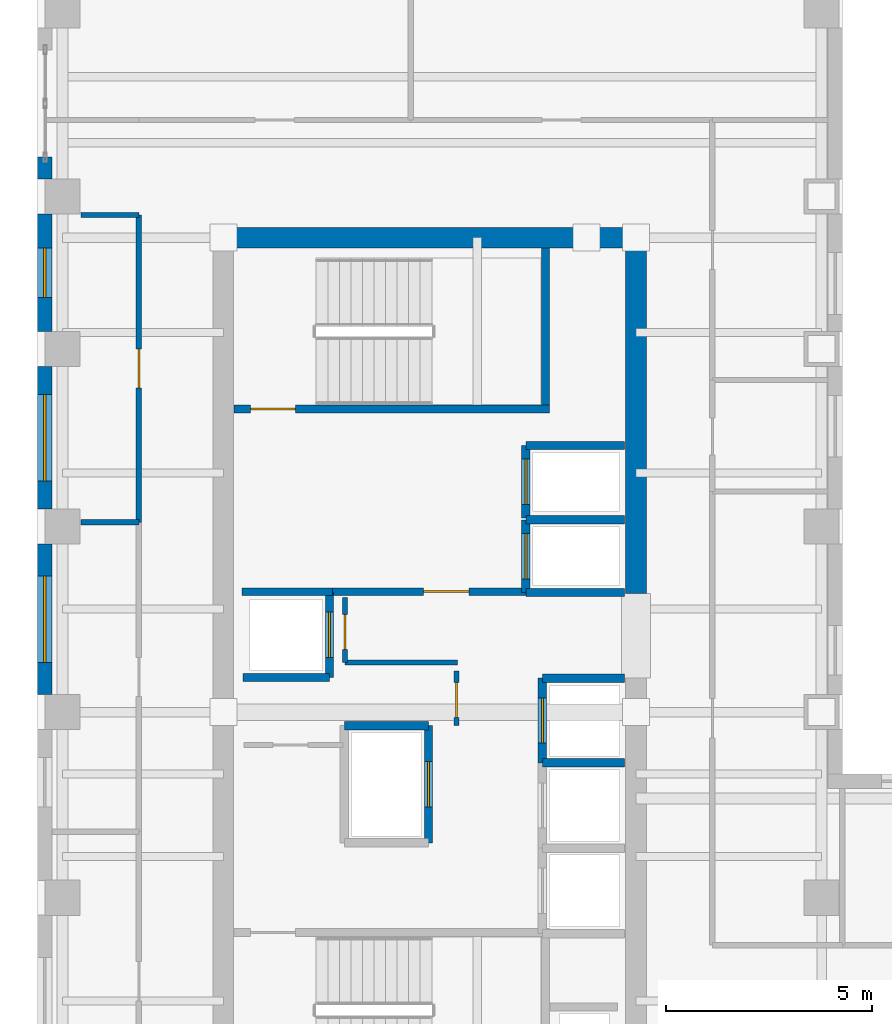
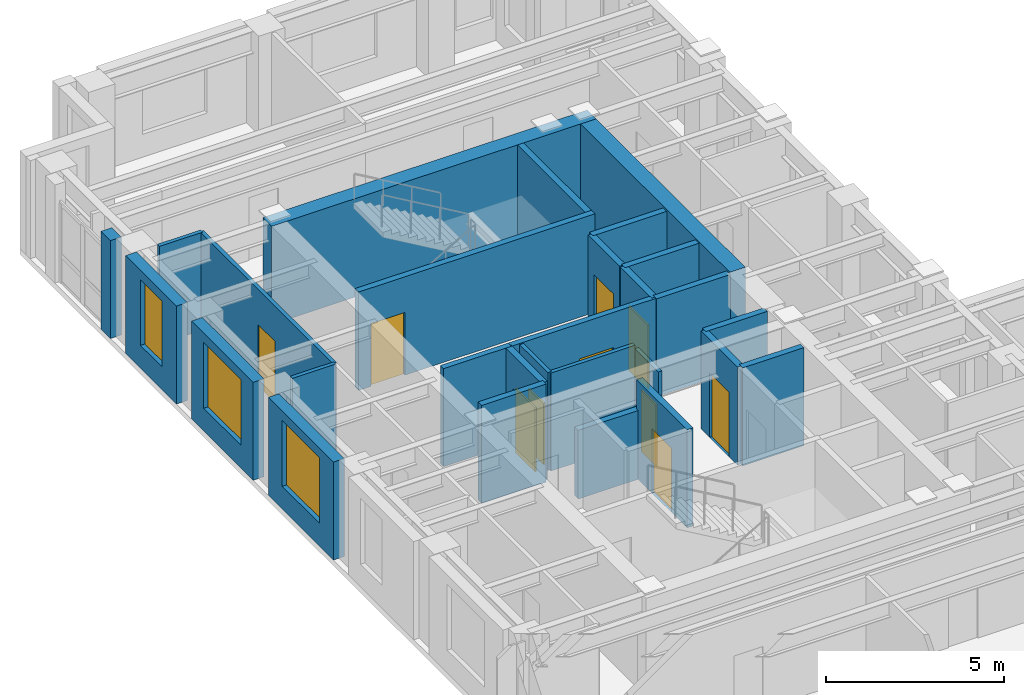
# One storey, part 7 of 10: 28 walls, 10 doors, 3 windows, 13 openings.
"""IFC4 building model written with IfcOpenShell, lengths in metres."""

from ifc_helpers import new_model, si_unit, direction, frame, frame_2d, origin, place, context, subcontext, project, spatial, rectangle, extrude, source, transform, mapped, material, layer, layer_set, type_object, element, fill, save


model = new_model("IFC4")

# Units and contexts
model_context = context("Model", 3, precision=1e-05, world=origin(), true_north=direction((0.0, 1.0)))
body_context = subcontext(model_context, "Body", "Model", "MODEL_VIEW")
ifc_project = project(units=[si_unit("LENGTHUNIT", "METRE"), si_unit("AREAUNIT", "SQUARE_METRE"), si_unit("VOLUMEUNIT", "CUBIC_METRE"), si_unit("PLANEANGLEUNIT", "RADIAN"), si_unit("MASSUNIT", "GRAM", prefix="KILO")], contexts=[model_context])

# Site, building, storey
site_placement = place(None, origin())
site = spatial("IfcSite", under=ifc_project, at=site_placement, CompositionType="ELEMENT")
building_placement = place(site_placement, origin())
building = spatial("IfcBuilding", under=site, at=building_placement, Name="Kharzan Plaza Tower", CompositionType="ELEMENT")
storey_placement = place(building_placement, frame((0.0, 0.0, 273.60009765625)))
storey = spatial("IfcBuildingStorey", under=building, at=storey_placement, Name="L74", CompositionType="ELEMENT", Elevation=273.60009765625)

# Wall, opening, window
ifc_material_1 = material(Name="Concrete C40/50", Category="concrete")
ifc_layer_1 = layer(ifc_material_1, 0.35009765625)
ifc_layer_set_1 = layer_set([ifc_layer_1], Name="Concrete C40/50")
wall_type_1 = type_object("IfcWallType", Name="WL-EXT-MAS-Z4", PredefinedType="SOLIDWALL", material=ifc_layer_set_1)
wall_1_placement = place(storey_placement, frame((0.175048828125, 30.076904296875, 0.0), z_axis=(0.0, 0.0, 1.0), x_axis=(0.0, -1.0, 0.0)))
wall_1 = element("IfcWall", 1, at=wall_1_placement, inside=storey, type_object=wall_type_1, Name="L74 Masonry-Frame Exterior Wall 11", PredefinedType="SOLIDWALL", context=body_context, shape_type="SweptSolid", body=[
    extrude(rectangle(XDim=2.85400390625, YDim=0.35009765625, at=frame_2d((1.427001953125, 0.0))), origin(), (0.0, 0.0, 1.0), 3.35498046875),
])
opening_1_placement = place(wall_1_placement, frame((0.826904296875, 0.0, 0.780029296875)))
opening_1 = element("IfcOpeningElement", 2, at=opening_1_placement, cuts=wall_1, Name="Opening W3", PredefinedType="OPENING", context=body_context, shape_type="SweptSolid", body=[
    extrude(rectangle(XDim=1.199951171875, YDim=2.25, at=frame_2d((0.60009765625, 1.125))), frame((0.0, 0.18505859375, 0.0), z_axis=(0.0, -1.0, 0.0), x_axis=(1.0, 0.0, 0.0)), (0.0, 0.0, 1.0), 0.3701171875),
])
ifc_material_2 = material(Name="Low-E Double Glazing", Category="glass")
window_type_1 = type_object("IfcWindowType", Name="WN-REC-1200x2100", PartitioningType="SINGLE_PANEL", PredefinedType="WINDOW", material=ifc_material_2)
shared_shape_1 = source(origin(), body_context, "Body", "SweptSolid", [
    extrude(rectangle(XDim=1.199951171875, YDim=2.25, at=frame_2d((0.60009765625, 1.125))), frame((0.0, 0.030029296875, 0.0), z_axis=(0.0, -1.0, 0.0), x_axis=(1.0, 0.0, 0.0)), (0.0, 0.0, 1.0), 0.06005859375),
])
window_1_placement = place(opening_1_placement, origin())
window_1 = element("IfcWindow", 3, at=window_1_placement, inside=storey, type_object=window_type_1, Name="L74 Recessed Solar-Control Window 11-1", OverallHeight=2.25, OverallWidth=1.199951171875, PartitioningType="SINGLE_PANEL", PredefinedType="WINDOW", context=body_context, shape_type="MappedRepresentation", body=[
    mapped(shared_shape_1, transform((0.0, 0.0, 0.0), x_axis=(1.0, 0.0, 0.0), y_axis=(0.0, 1.0, 0.0), z_axis=(0.0, 0.0, 1.0))),
])
fill(opening_1, window_1)

wall_2_placement = place(storey_placement, frame((0.175048828125, 26.376953125, 0.0), z_axis=(0.0, 0.0, 1.0), x_axis=(0.0, -1.0, 0.0)))
wall_2 = element("IfcWall", 4, at=wall_2_placement, inside=storey, type_object=wall_type_1, Name="L74 Masonry-Frame Exterior Wall 12", PredefinedType="SOLIDWALL", context=body_context, shape_type="SweptSolid", body=[
    extrude(rectangle(XDim=3.453857421875, YDim=0.35009765625, at=frame_2d((1.72705078125, 0.0))), origin(), (0.0, 0.0, 1.0), 3.35498046875),
])
opening_2_placement = place(wall_2_placement, frame((0.677001953125, 0.0, 0.780029296875)))
opening_2 = element("IfcOpeningElement", 5, at=opening_2_placement, cuts=wall_2, Name="Opening W6", PredefinedType="OPENING", context=body_context, shape_type="SweptSolid", body=[
    extrude(rectangle(XDim=2.10009765625, YDim=2.25, at=frame_2d((1.050048828125, 1.125))), frame((0.0, 0.18505859375, 0.0), z_axis=(0.0, -1.0, 0.0), x_axis=(1.0, 0.0, 0.0)), (0.0, 0.0, 1.0), 0.3701171875),
])
window_type_2 = type_object("IfcWindowType", Name="WN-EXEC-2100x2250", PartitioningType="SINGLE_PANEL", PredefinedType="WINDOW", material=ifc_material_2)
shared_shape_2 = source(origin(), body_context, "Body", "SweptSolid", [
    extrude(rectangle(XDim=2.10009765625, YDim=2.25, at=frame_2d((1.050048828125, 1.125))), frame((0.0, 0.030029296875, 0.0), z_axis=(0.0, -1.0, 0.0), x_axis=(1.0, 0.0, 0.0)), (0.0, 0.0, 1.0), 0.06005859375),
])
window_2_placement = place(opening_2_placement, origin())
window_2 = element("IfcWindow", 6, at=window_2_placement, inside=storey, type_object=window_type_2, Name="L74 Recessed Solar-Control Window 12-1", OverallHeight=2.25, OverallWidth=2.10009765625, PartitioningType="SINGLE_PANEL", PredefinedType="WINDOW", context=body_context, shape_type="MappedRepresentation", body=[
    mapped(shared_shape_2, transform((0.0, 0.0, 0.0), x_axis=(1.0, 0.0, 0.0), y_axis=(0.0, 1.0, 0.0), z_axis=(0.0, 0.0, 1.0))),
])
fill(opening_2, window_2)

wall_3_placement = place(storey_placement, frame((0.175048828125, 22.076904296875, 0.0), z_axis=(0.0, 0.0, 1.0), x_axis=(0.0, -1.0, 0.0)))
wall_3 = element("IfcWall", 7, at=wall_3_placement, inside=storey, type_object=wall_type_1, Name="L74 Masonry-Frame Exterior Wall 13", PredefinedType="SOLIDWALL", context=body_context, shape_type="SweptSolid", body=[
    extrude(rectangle(XDim=3.65380859375, YDim=0.35009765625, at=frame_2d((1.826904296875, 0.0))), origin(), (0.0, 0.0, 1.0), 3.35498046875),
])
opening_3_placement = place(wall_3_placement, frame((0.777099609375, 0.0, 0.780029296875)))
opening_3 = element("IfcOpeningElement", 8, at=opening_3_placement, cuts=wall_3, Name="Opening W6", PredefinedType="OPENING", context=body_context, shape_type="SweptSolid", body=[
    extrude(rectangle(XDim=2.10009765625, YDim=2.25, at=frame_2d((1.050048828125, 1.125))), frame((0.0, 0.18505859375, 0.0), z_axis=(0.0, -1.0, 0.0), x_axis=(1.0, 0.0, 0.0)), (0.0, 0.0, 1.0), 0.3701171875),
])
window_3_placement = place(opening_3_placement, origin())
window_3 = element("IfcWindow", 9, at=window_3_placement, inside=storey, type_object=window_type_2, Name="L74 Recessed Solar-Control Window 13-1", OverallHeight=2.25, OverallWidth=2.10009765625, PartitioningType="SINGLE_PANEL", PredefinedType="WINDOW", context=body_context, shape_type="MappedRepresentation", body=[
    mapped(shared_shape_2, transform((0.0, 0.0, 0.0), x_axis=(1.0, 0.0, 0.0), y_axis=(0.0, 1.0, 0.0), z_axis=(0.0, 0.0, 1.0))),
])
fill(opening_3, window_3)

# Wall, opening, door
ifc_layer_2 = layer(ifc_material_1, 0.179931640625)
ifc_layer_set_2 = layer_set([ifc_layer_2], Name="Concrete C40/50")
wall_type_2 = type_object("IfcWallType", Name="WL-INT-FIRE-180", PredefinedType="PARTITIONING", material=ifc_layer_set_2)
wall_4_placement = place(storey_placement, frame((7.14990234375, 20.919921875, 0.0), z_axis=(0.0, 0.0, 1.0), x_axis=(1.0, 0.0, 0.0)))
wall_4 = element("IfcWall", 10, at=wall_4_placement, inside=storey, type_object=wall_type_2, Name="L74 Interior Partition CA-FF-S", PredefinedType="PARTITIONING", context=body_context, shape_type="SweptSolid", body=[
    extrude(rectangle(XDim=4.68017578125, YDim=0.179931640625, at=frame_2d((2.340087890625, 0.0))), origin(), (0.0, 0.0, 1.0), 3.35498046875),
])
opening_4_placement = place(wall_4_placement, frame((2.199951171875, 0.0, 0.0)))
opening_4 = element("IfcOpeningElement", 11, at=opening_4_placement, cuts=wall_4, Name="Opening FD1", PredefinedType="OPENING", context=body_context, shape_type="SweptSolid", body=[
    extrude(rectangle(XDim=1.10009765625, YDim=2.14990234375, at=frame_2d((0.550048828125, 1.074951171875))), frame((0.0, 0.099853515625, 0.0), z_axis=(0.0, -1.0, 0.0), x_axis=(1.0, 0.0, 0.0)), (0.0, 0.0, 1.0), 0.199951171875),
])
ifc_material_3 = material(Name="Fire-Rated Acoustic Vision-Panel Steel", Category="steel")
door_type_1 = type_object("IfcDoorType", Name="DR-FIRE-LOBBY", OperationType="NOTDEFINED", PredefinedType="DOOR", material=ifc_material_3)
shared_shape_3 = source(origin(), body_context, "Body", "SweptSolid", [
    extrude(rectangle(XDim=1.10009765625, YDim=2.14990234375, at=frame_2d((0.550048828125, 1.074951171875))), frame((0.0, 0.02490234375, 0.0), z_axis=(0.0, -1.0, 0.0), x_axis=(1.0, 0.0, 0.0)), (0.0, 0.0, 1.0), 0.050048828125),
])
door_1_placement = place(opening_4_placement, origin())
door_1 = element("IfcDoor", 12, at=door_1_placement, inside=storey, type_object=door_type_1, Name="L74 Firefighting Lobby Door", OperationType="SINGLE_SWING_LEFT", OverallHeight=2.14990234375, OverallWidth=1.10009765625, PredefinedType="DOOR", context=body_context, shape_type="MappedRepresentation", body=[
    mapped(shared_shape_3, transform((0.0, 0.0, 0.0), x_axis=(1.0, 0.0, 0.0), y_axis=(0.0, 1.0, 0.0), z_axis=(0.0, 0.0, 1.0))),
])
fill(opening_4, door_1)

ifc_material_4 = material(Name="Fire-Rated Gypsum Board Partition", Category="gypsum")
ifc_layer_3 = layer(ifc_material_4, 0.125)
ifc_layer_set_3 = layer_set([ifc_layer_3], Name="Fire-Rated Gypsum Board Partition")
wall_type_3 = type_object("IfcWallType", Name="WL-INT-PART-125", PredefinedType="PARTITIONING", material=ifc_layer_set_3)
wall_5_placement = place(storey_placement, frame((10.14990234375, 17.679931640625, 0.0), z_axis=(0.0, 0.0, 1.0), x_axis=(0.0, 1.0, 0.0)))
wall_5 = element("IfcWall", 13, at=wall_5_placement, inside=storey, type_object=wall_type_3, Name="L74 Interior Partition CA-K2A", PredefinedType="PARTITIONING", context=body_context, shape_type="SweptSolid", body=[
    extrude(rectangle(XDim=1.320068359375, YDim=0.125, at=frame_2d((0.66015625, 0.0))), origin(), (0.0, 0.0, 1.0), 3.35498046875),
])
opening_5_placement = place(wall_5_placement, frame((0.18505859375, 0.0, 0.0)))
opening_5 = element("IfcOpeningElement", 14, at=opening_5_placement, cuts=wall_5, Name="Opening RD1", PredefinedType="OPENING", context=body_context, shape_type="SweptSolid", body=[
    extrude(rectangle(XDim=0.85009765625, YDim=2.10009765625, at=frame_2d((0.425048828125, 1.050048828125))), frame((0.0, 0.072509765625, 0.0), z_axis=(0.0, -1.0, 0.0), x_axis=(1.0, 0.0, 0.0)), (0.0, 0.0, 1.0), 0.14501953125),
])
ifc_material_5 = material(Name="Powder-Coated Fire-Rated Steel", Category="steel")
door_type_2 = type_object("IfcDoorType", Name="DR-RISER-900", OperationType="NOTDEFINED", PredefinedType="DOOR", material=ifc_material_5)
shared_shape_4 = source(origin(), body_context, "Body", "SweptSolid", [
    extrude(rectangle(XDim=0.85009765625, YDim=2.10009765625, at=frame_2d((0.425048828125, 1.050048828125))), frame((0.0, 0.02490234375, 0.0), z_axis=(0.0, -1.0, 0.0), x_axis=(1.0, 0.0, 0.0)), (0.0, 0.0, 1.0), 0.050048828125),
])
door_2_placement = place(opening_5_placement, origin())
door_2 = element("IfcDoor", 15, at=door_2_placement, inside=storey, type_object=door_type_2, Name="L74 Core Mechanical Store Door", OperationType="SINGLE_SWING_LEFT", OverallHeight=2.10009765625, OverallWidth=0.85009765625, PredefinedType="DOOR", context=body_context, shape_type="MappedRepresentation", body=[
    mapped(shared_shape_4, transform((0.0, 0.0, 0.0), x_axis=(1.0, 0.0, 0.0), y_axis=(0.0, 1.0, 0.0), z_axis=(0.0, 0.0, 1.0))),
])
fill(opening_5, door_2)

wall_6_placement = place(storey_placement, frame((7.449951171875, 19.199951171875, 0.0), z_axis=(0.0, 0.0, 1.0), x_axis=(0.0, 1.0, 0.0)))
wall_6 = element("IfcWall", 16, at=wall_6_placement, inside=storey, type_object=wall_type_3, Name="L74 Interior Partition CA-K2B", PredefinedType="PARTITIONING", context=body_context, shape_type="SweptSolid", body=[
    extrude(rectangle(XDim=1.580078125, YDim=0.125, at=frame_2d((0.7900390625, 0.0))), origin(), (0.0, 0.0, 1.0), 3.35498046875),
])
opening_6_placement = place(wall_6_placement, frame((0.31494140625, 0.0, 0.0)))
opening_6 = element("IfcOpeningElement", 17, at=opening_6_placement, cuts=wall_6, Name="Opening RD1", PredefinedType="OPENING", context=body_context, shape_type="SweptSolid", body=[
    extrude(rectangle(XDim=0.85009765625, YDim=2.10009765625, at=frame_2d((0.425048828125, 1.050048828125))), frame((0.0, 0.072509765625, 0.0), z_axis=(0.0, -1.0, 0.0), x_axis=(1.0, 0.0, 0.0)), (0.0, 0.0, 1.0), 0.14501953125),
])
door_3_placement = place(opening_6_placement, origin())
door_3 = element("IfcDoor", 18, at=door_3_placement, inside=storey, type_object=door_type_2, Name="L74 Core Plant Store Door", OperationType="SINGLE_SWING_RIGHT", OverallHeight=2.10009765625, OverallWidth=0.85009765625, PredefinedType="DOOR", context=body_context, shape_type="MappedRepresentation", body=[
    mapped(shared_shape_4, transform((0.0, 0.0, 0.0), x_axis=(1.0, 0.0, 0.0), y_axis=(0.0, 1.0, 0.0), z_axis=(0.0, 0.0, 1.0))),
])
fill(opening_6, door_3)

wall_7_placement = place(storey_placement, frame((2.449951171875, 22.60009765625, 0.0), z_axis=(0.0, 0.0, 1.0), x_axis=(0.0, 1.0, 0.0)))
wall_7 = element("IfcWall", 19, at=wall_7_placement, inside=storey, type_object=wall_type_3, Name="L74 Interior Partition SH-WW-3", PredefinedType="PARTITIONING", context=body_context, shape_type="SweptSolid", body=[
    extrude(rectangle(XDim=7.449951171875, YDim=0.125, at=frame_2d((3.72509765625, 0.0))), origin(), (0.0, 0.0, 1.0), 3.35498046875),
])
opening_7_placement = place(wall_7_placement, frame((3.25, 0.0, 0.0)))
opening_7 = element("IfcOpeningElement", 20, at=opening_7_placement, cuts=wall_7, Name="Opening OD1", PredefinedType="OPENING", context=body_context, shape_type="SweptSolid", body=[
    extrude(rectangle(XDim=0.949951171875, YDim=2.14990234375, at=frame_2d((0.47509765625, 1.074951171875))), frame((0.0, 0.072509765625, 0.0), z_axis=(0.0, -1.0, 0.0), x_axis=(1.0, 0.0, 0.0)), (0.0, 0.0, 1.0), 0.14501953125),
])
ifc_material_6 = material(Name="Acoustic Solid-Core Stained Oak", Category="timber")
door_type_3 = type_object("IfcDoorType", Name="DR-OFF-SINGLE", OperationType="NOTDEFINED", PredefinedType="DOOR", material=ifc_material_6)
shared_shape_5 = source(origin(), body_context, "Body", "SweptSolid", [
    extrude(rectangle(XDim=0.949951171875, YDim=2.14990234375, at=frame_2d((0.47509765625, 1.074951171875))), frame((0.0, 0.02490234375, 0.0), z_axis=(0.0, -1.0, 0.0), x_axis=(1.0, 0.0, 0.0)), (0.0, 0.0, 1.0), 0.050048828125),
])
door_4_placement = place(opening_7_placement, origin())
door_4 = element("IfcDoor", 21, at=door_4_placement, inside=storey, type_object=door_type_3, Name="L74 Hardware Staging Store Door", OperationType="SINGLE_SWING_LEFT", OverallHeight=2.14990234375, OverallWidth=0.949951171875, PredefinedType="DOOR", context=body_context, shape_type="MappedRepresentation", body=[
    mapped(shared_shape_5, transform((0.0, 0.0, 0.0), x_axis=(1.0, 0.0, 0.0), y_axis=(0.0, 1.0, 0.0), z_axis=(0.0, 0.0, 1.0))),
])
fill(opening_7, door_4)

ifc_layer_4 = layer(ifc_material_1, 0.199951171875)
ifc_layer_set_4 = layer_set([ifc_layer_4], Name="Concrete C40/50")
wall_type_4 = type_object("IfcWallType", Name="WL-INT-SHAFT-200", PredefinedType="PARTITIONING", material=ifc_layer_set_4)
wall_8_placement = place(storey_placement, frame((11.830078125, 20.89990234375, 0.0), z_axis=(0.0, 0.0, 1.0), x_axis=(0.0, 1.0, 0.0)))
wall_8 = element("IfcWall", 22, at=wall_8_placement, inside=storey, type_object=wall_type_4, Name="L74 Interior Partition SHF-FFL-1-W", PredefinedType="PARTITIONING", context=body_context, shape_type="SweptSolid", body=[
    extrude(rectangle(XDim=1.760009765625, YDim=0.199951171875, at=frame_2d((0.8798828125, 0.0))), origin(), (0.0, 0.0, 1.0), 3.35498046875),
])
opening_8_placement = place(wall_8_placement, frame((0.330078125, 0.0, 0.0)))
opening_8 = element("IfcOpeningElement", 23, at=opening_8_placement, cuts=wall_8, Name="Opening LD", PredefinedType="OPENING", context=body_context, shape_type="SweptSolid", body=[
    extrude(rectangle(XDim=1.10009765625, YDim=2.199951171875, at=frame_2d((0.550048828125, 1.10009765625))), frame((0.0, 0.10986328125, 0.0), z_axis=(0.0, -1.0, 0.0), x_axis=(1.0, 0.0, 0.0)), (0.0, 0.0, 1.0), 0.219970703125),
])
ifc_material_7 = material(Name="Brushed Stainless Steel", Category="steel")
door_type_4 = type_object("IfcDoorType", Name="DR-LIFT-SLIDE", OperationType="SLIDING_TO_LEFT", PredefinedType="DOOR", material=ifc_material_7)
shared_shape_6 = source(origin(), body_context, "Body", "SweptSolid", [
    extrude(rectangle(XDim=1.10009765625, YDim=2.199951171875, at=frame_2d((0.550048828125, 1.10009765625))), frame((0.0, 0.02490234375, 0.0), z_axis=(0.0, -1.0, 0.0), x_axis=(1.0, 0.0, 0.0)), (0.0, 0.0, 1.0), 0.050048828125),
])
door_5_placement = place(opening_8_placement, origin())
door_5 = element("IfcDoor", 24, at=door_5_placement, inside=storey, type_object=door_type_4, Name="L74 Firefighting Lift FFL-1 Sliding Landing Door", OperationType="SLIDING_TO_LEFT", OverallHeight=2.199951171875, OverallWidth=1.10009765625, PredefinedType="DOOR", context=body_context, shape_type="MappedRepresentation", body=[
    mapped(shared_shape_6, transform((0.0, 0.0, 0.0), x_axis=(1.0, 0.0, 0.0), y_axis=(0.0, 1.0, 0.0), z_axis=(0.0, 0.0, 1.0))),
])
fill(opening_8, door_5)

wall_9_placement = place(storey_placement, frame((11.830078125, 22.699951171875, 0.0), z_axis=(0.0, 0.0, 1.0), x_axis=(0.0, 1.0, 0.0)))
wall_9 = element("IfcWall", 25, at=wall_9_placement, inside=storey, type_object=wall_type_4, Name="L74 Interior Partition SHF-FFL-2-W", PredefinedType="PARTITIONING", context=body_context, shape_type="SweptSolid", body=[
    extrude(rectangle(XDim=1.760009765625, YDim=0.199951171875, at=frame_2d((0.8798828125, 0.0))), origin(), (0.0, 0.0, 1.0), 3.35498046875),
])
opening_9_placement = place(wall_9_placement, frame((0.330078125, 0.0, 0.0)))
opening_9 = element("IfcOpeningElement", 26, at=opening_9_placement, cuts=wall_9, Name="Opening LD", PredefinedType="OPENING", context=body_context, shape_type="SweptSolid", body=[
    extrude(rectangle(XDim=1.10009765625, YDim=2.199951171875, at=frame_2d((0.550048828125, 1.10009765625))), frame((0.0, 0.10986328125, 0.0), z_axis=(0.0, -1.0, 0.0), x_axis=(1.0, 0.0, 0.0)), (0.0, 0.0, 1.0), 0.219970703125),
])
door_6_placement = place(opening_9_placement, origin())
door_6 = element("IfcDoor", 27, at=door_6_placement, inside=storey, type_object=door_type_4, Name="L74 Firefighting Lift FFL-2 Sliding Landing Door", OperationType="SLIDING_TO_LEFT", OverallHeight=2.199951171875, OverallWidth=1.10009765625, PredefinedType="DOOR", context=body_context, shape_type="MappedRepresentation", body=[
    mapped(shared_shape_6, transform((0.0, 0.0, 0.0), x_axis=(1.0, 0.0, 0.0), y_axis=(0.0, 1.0, 0.0), z_axis=(0.0, 0.0, 1.0))),
])
fill(opening_9, door_6)

wall_10_placement = place(storey_placement, frame((12.22998046875, 16.77001953125, 0.0), z_axis=(0.0, 0.0, 1.0), x_axis=(0.0, 1.0, 0.0)))
wall_10 = element("IfcWall", 28, at=wall_10_placement, inside=storey, type_object=wall_type_4, Name="L74 Interior Partition SHF-PL-H3-W", PredefinedType="PARTITIONING", context=body_context, shape_type="SweptSolid", body=[
    extrude(rectangle(XDim=2.050048828125, YDim=0.199951171875, at=frame_2d((1.02490234375, 0.0))), origin(), (0.0, 0.0, 1.0), 3.35498046875),
])
opening_10_placement = place(wall_10_placement, frame((0.47509765625, 0.0, 0.0)))
opening_10 = element("IfcOpeningElement", 29, at=opening_10_placement, cuts=wall_10, Name="Opening LD", PredefinedType="OPENING", context=body_context, shape_type="SweptSolid", body=[
    extrude(rectangle(XDim=1.10009765625, YDim=2.199951171875, at=frame_2d((0.550048828125, 1.10009765625))), frame((0.0, 0.10986328125, 0.0), z_axis=(0.0, -1.0, 0.0), x_axis=(1.0, 0.0, 0.0)), (0.0, 0.0, 1.0), 0.219970703125),
])
door_7_placement = place(opening_10_placement, origin())
door_7 = element("IfcDoor", 30, at=door_7_placement, inside=storey, type_object=door_type_4, Name="L74 High-Rise Passenger Lift PL-H3 Sliding Landing Door", OperationType="SLIDING_TO_LEFT", OverallHeight=2.199951171875, OverallWidth=1.10009765625, PredefinedType="DOOR", context=body_context, shape_type="MappedRepresentation", body=[
    mapped(shared_shape_6, transform((0.0, 0.0, 0.0), x_axis=(1.0, 0.0, 0.0), y_axis=(0.0, 1.0, 0.0), z_axis=(0.0, 0.0, 1.0))),
])
fill(opening_10, door_7)

wall_11_placement = place(storey_placement, frame((7.070068359375, 18.840087890625, 0.0), z_axis=(0.0, 0.0, 1.0), x_axis=(0.0, 1.0, 0.0)))
wall_11 = element("IfcWall", 31, at=wall_11_placement, inside=storey, type_object=wall_type_4, Name="L74 Interior Partition SHF-PL-H4-E", PredefinedType="PARTITIONING", context=body_context, shape_type="SweptSolid", body=[
    extrude(rectangle(XDim=2.059814453125, YDim=0.199951171875, at=frame_2d((1.02978515625, 0.0))), origin(), (0.0, 0.0, 1.0), 3.35498046875),
])
opening_11_placement = place(wall_11_placement, frame((0.47998046875, 0.0, 0.0)))
opening_11 = element("IfcOpeningElement", 32, at=opening_11_placement, cuts=wall_11, Name="Opening LD", PredefinedType="OPENING", context=body_context, shape_type="SweptSolid", body=[
    extrude(rectangle(XDim=1.10009765625, YDim=2.199951171875, at=frame_2d((0.550048828125, 1.10009765625))), frame((0.0, 0.10986328125, 0.0), z_axis=(0.0, -1.0, 0.0), x_axis=(1.0, 0.0, 0.0)), (0.0, 0.0, 1.0), 0.219970703125),
])
door_8_placement = place(opening_11_placement, origin())
door_8 = element("IfcDoor", 33, at=door_8_placement, inside=storey, type_object=door_type_4, Name="L74 High-Rise Passenger Lift PL-H4 Sliding Landing Door", OperationType="SLIDING_TO_LEFT", OverallHeight=2.199951171875, OverallWidth=1.10009765625, PredefinedType="DOOR", context=body_context, shape_type="MappedRepresentation", body=[
    mapped(shared_shape_6, transform((0.0, 0.0, 0.0), x_axis=(1.0, 0.0, 0.0), y_axis=(0.0, 1.0, 0.0), z_axis=(0.0, 0.0, 1.0))),
])
fill(opening_11, door_8)

wall_12_placement = place(storey_placement, frame((9.469970703125, 14.830078125, 0.0), z_axis=(0.0, 0.0, 1.0), x_axis=(0.0, 1.0, 0.0)))
wall_12 = element("IfcWall", 34, at=wall_12_placement, inside=storey, type_object=wall_type_4, Name="L74 Interior Partition SHF-SVL-1-E", PredefinedType="PARTITIONING", context=body_context, shape_type="SweptSolid", body=[
    extrude(rectangle(XDim=2.83984375, YDim=0.199951171875, at=frame_2d((1.419921875, 0.0))), origin(), (0.0, 0.0, 1.0), 3.35498046875),
])
opening_12_placement = place(wall_12_placement, frame((0.8701171875, 0.0, 0.0)))
opening_12 = element("IfcOpeningElement", 35, at=opening_12_placement, cuts=wall_12, Name="Opening LD", PredefinedType="OPENING", context=body_context, shape_type="SweptSolid", body=[
    extrude(rectangle(XDim=1.10009765625, YDim=2.199951171875, at=frame_2d((0.550048828125, 1.10009765625))), frame((0.0, 0.10986328125, 0.0), z_axis=(0.0, -1.0, 0.0), x_axis=(1.0, 0.0, 0.0)), (0.0, 0.0, 1.0), 0.219970703125),
])
door_9_placement = place(opening_12_placement, origin())
door_9 = element("IfcDoor", 36, at=door_9_placement, inside=storey, type_object=door_type_4, Name="L74 Service Lift SVL-1 Sliding Landing Door", OperationType="SLIDING_TO_LEFT", OverallHeight=2.199951171875, OverallWidth=1.10009765625, PredefinedType="DOOR", context=body_context, shape_type="MappedRepresentation", body=[
    mapped(shared_shape_6, transform((0.0, 0.0, 0.0), x_axis=(1.0, 0.0, 0.0), y_axis=(0.0, 1.0, 0.0), z_axis=(0.0, 0.0, 1.0))),
])
fill(opening_12, door_9)

ifc_material_8 = material(Name="Concrete C50/60", Category="concrete")
ifc_layer_5 = layer(ifc_material_8, 0.199951171875)
ifc_layer_set_5 = layer_set([ifc_layer_5], Name="Concrete C50/60")
wall_type_5 = type_object("IfcWallType", Name="WL-SHAFT-RC200", PredefinedType="SHEAR", material=ifc_layer_set_5)
wall_13_placement = place(storey_placement, frame((4.751953125, 25.344970703125, 0.0), z_axis=(0.0, 0.0, 1.0), x_axis=(1.0, 0.0, 0.0)))
wall_13 = element("IfcWall", 37, at=wall_13_placement, inside=storey, type_object=wall_type_5, Name="L74 Stair ST-2 South RC Shaft Wall", PredefinedType="SHEAR", context=body_context, shape_type="SweptSolid", body=[
    extrude(rectangle(XDim=7.653076171875, YDim=0.199951171875, at=frame_2d((3.82666015625, 0.0))), origin(), (0.0, 0.0, 1.0), 3.369873046875),
])
opening_13_placement = place(wall_13_placement, frame((0.39990234375, 0.0, 0.0)))
opening_13 = element("IfcOpeningElement", 38, at=opening_13_placement, cuts=wall_13, Name="Opening SD1", PredefinedType="OPENING", context=body_context, shape_type="SweptSolid", body=[
    extrude(rectangle(XDim=1.10009765625, YDim=2.14990234375, at=frame_2d((0.550048828125, 1.074951171875))), frame((0.0, 0.10986328125, 0.0), z_axis=(0.0, -1.0, 0.0), x_axis=(1.0, 0.0, 0.0)), (0.0, 0.0, 1.0), 0.219970703125),
])
ifc_material_9 = material(Name="Fire-Rated Hollow Galvanized Steel", Category="steel")
door_type_5 = type_object("IfcDoorType", Name="DR-STAIR-FD120", OperationType="NOTDEFINED", PredefinedType="DOOR", material=ifc_material_9)
shared_shape_7 = source(origin(), body_context, "Body", "SweptSolid", [
    extrude(rectangle(XDim=1.10009765625, YDim=2.14990234375, at=frame_2d((0.550048828125, 1.074951171875))), frame((0.0, 0.02490234375, 0.0), z_axis=(0.0, -1.0, 0.0), x_axis=(1.0, 0.0, 0.0)), (0.0, 0.0, 1.0), 0.050048828125),
])
door_10_placement = place(opening_13_placement, origin())
door_10 = element("IfcDoor", 39, at=door_10_placement, inside=storey, type_object=door_type_5, Name="L74 Stair ST-2 Fire Exit Door", OperationType="SINGLE_SWING_RIGHT", OverallHeight=2.14990234375, OverallWidth=1.10009765625, PredefinedType="DOOR", context=body_context, shape_type="MappedRepresentation", body=[
    mapped(shared_shape_7, transform((0.0, 0.0, 0.0), x_axis=(1.0, 0.0, 0.0), y_axis=(0.0, 1.0, 0.0), z_axis=(0.0, 0.0, 1.0))),
])
fill(opening_13, door_10)

# Walls
ifc_layer_6 = layer(ifc_material_8, 0.5)
ifc_layer_set_6 = layer_set([ifc_layer_6], Name="Concrete C50/60")
wall_type_6 = type_object("IfcWallType", Name="WL-CORE-500", PredefinedType="SHEAR", material=ifc_layer_set_6)
shared_shape_8 = source(origin(), body_context, "Body", "SweptSolid", [
    extrude(rectangle(XDim=8.3701171875, YDim=0.5, at=frame_2d((4.18505859375, 0.0))), origin(), (0.0, 0.0, 1.0), 3.369873046875),
])
wall_14_placement = place(storey_placement, frame((14.5, 20.8798828125, 0.0), z_axis=(0.0, 0.0, 1.0), x_axis=(0.0, 1.0, 0.0)))
element("IfcWall", 40, at=wall_14_placement, inside=storey, type_object=wall_type_6, Name="L74 CORE-A east shear pier 2", PredefinedType="SHEAR", context=body_context, shape_type="MappedRepresentation", body=[
    mapped(shared_shape_8, transform((0.0, 0.0, 0.0), x_axis=(1.0, 0.0, 0.0), y_axis=(0.0, 1.0, 0.0), z_axis=(0.0, 0.0, 1.0))),
])
shared_shape_9 = source(origin(), body_context, "Body", "SweptSolid", [
    extrude(rectangle(XDim=10.5, YDim=0.5, at=frame_2d((5.25, 0.0))), origin(), (0.0, 0.0, 1.0), 3.369873046875),
])
wall_15_placement = place(storey_placement, frame((4.25, 29.5, 0.0), z_axis=(0.0, 0.0, 1.0), x_axis=(1.0, 0.0, 0.0)))
element("IfcWall", 41, at=wall_15_placement, inside=storey, type_object=wall_type_6, Name="L74 CORE-A north RC shear wall", PredefinedType="SHEAR", context=body_context, shape_type="MappedRepresentation", body=[
    mapped(shared_shape_9, transform((0.0, 0.0, 0.0), x_axis=(1.0, 0.0, 0.0), y_axis=(0.0, 1.0, 0.0), z_axis=(0.0, 0.0, 1.0))),
])
shared_shape_10 = source(origin(), body_context, "Body", "SweptSolid", [
    extrude(rectangle(XDim=0.52685546875, YDim=0.35009765625, at=frame_2d((0.263427734375, 0.0))), origin(), (0.0, 0.0, 1.0), 3.35498046875),
])
wall_16_placement = place(storey_placement, frame((0.175048828125, 31.449951171875, 0.0), z_axis=(0.0, 0.0, 1.0), x_axis=(0.0, -1.0, 0.0)))
element("IfcWall", 42, at=wall_16_placement, inside=storey, type_object=wall_type_1, Name="L74 Masonry-Frame Exterior Wall 10", PredefinedType="SOLIDWALL", context=body_context, shape_type="MappedRepresentation", body=[
    mapped(shared_shape_10, transform((0.0, 0.0, 0.0), x_axis=(1.0, 0.0, 0.0), y_axis=(0.0, 1.0, 0.0), z_axis=(0.0, 0.0, 1.0))),
])
shared_shape_11 = source(origin(), body_context, "Body", "SweptSolid", [
    extrude(rectangle(XDim=2.199951171875, YDim=0.179931640625, at=frame_2d((1.10009765625, 0.0))), origin(), (0.0, 0.0, 1.0), 3.35498046875),
])
wall_17_placement = place(storey_placement, frame((4.949951171875, 20.919921875, 0.0), z_axis=(0.0, 0.0, 1.0), x_axis=(1.0, 0.0, 0.0)))
element("IfcWall", 43, at=wall_17_placement, inside=storey, type_object=wall_type_2, Name="L74 Interior Partition CA-FF-SW", PredefinedType="PARTITIONING", context=body_context, shape_type="MappedRepresentation", body=[
    mapped(shared_shape_11, transform((0.0, 0.0, 0.0), x_axis=(1.0, 0.0, 0.0), y_axis=(0.0, 1.0, 0.0), z_axis=(0.0, 0.0, 1.0))),
])
shared_shape_12 = source(origin(), body_context, "Body", "SweptSolid", [
    extrude(rectangle(XDim=2.72998046875, YDim=0.125, at=frame_2d((1.364990234375, 0.0))), origin(), (0.0, 0.0, 1.0), 3.35498046875),
])
wall_18_placement = place(storey_placement, frame((7.449951171875, 19.199951171875, 0.0), z_axis=(0.0, 0.0, 1.0), x_axis=(1.0, 0.0, 0.0)))
element("IfcWall", 44, at=wall_18_placement, inside=storey, type_object=wall_type_3, Name="L74 Interior Partition CA-K2M", PredefinedType="PARTITIONING", context=body_context, shape_type="MappedRepresentation", body=[
    mapped(shared_shape_12, transform((0.0, 0.0, 0.0), x_axis=(1.0, 0.0, 0.0), y_axis=(0.0, 1.0, 0.0), z_axis=(0.0, 0.0, 1.0))),
])
shared_shape_13 = source(origin(), body_context, "Body", "SweptSolid", [
    extrude(rectangle(XDim=1.39990234375, YDim=0.125, at=frame_2d((0.699951171875, 0.0))), origin(), (0.0, 0.0, 1.0), 3.35498046875),
])
for number, where, z_axis, x_axis, name in (
    (45, (1.050048828125, 30.050048828125, 0.0), (0.0, 0.0, 1.0), (1.0, 0.0, 0.0), "L74 Interior Partition SH-RWN0"),
    (46, (1.050048828125, 22.60009765625, 0.0), (0.0, 0.0, 1.0), (1.0, 0.0, 0.0), "L74 Interior Partition SH-WH-2"),
):
    element("IfcWall", number, at=place(storey_placement, frame(where, z_axis=z_axis, x_axis=x_axis)), inside=storey, type_object=wall_type_3, Name=name, PredefinedType="PARTITIONING", context=body_context, shape_type="MappedRepresentation", body=[
        mapped(shared_shape_13, transform((0.0, 0.0, 0.0), x_axis=(1.0, 0.0, 0.0), y_axis=(0.0, 1.0, 0.0), z_axis=(0.0, 0.0, 1.0))),
    ])
shared_shape_14 = source(origin(), body_context, "Body", "SweptSolid", [
    extrude(rectangle(XDim=2.389892578125, YDim=0.199951171875, at=frame_2d((1.19482421875, 0.0))), origin(), (0.0, 0.0, 1.0), 3.35498046875),
])
for number, where, z_axis, x_axis, name in (
    (47, (11.830078125, 22.659912109375, 0.0), (0.0, 0.0, 1.0), (1.0, 0.0, 0.0), "L74 Interior Partition SHF-FFL-1-N"),
    (48, (11.830078125, 20.89990234375, 0.0), (0.0, 0.0, 1.0), (1.0, 0.0, 0.0), "L74 Interior Partition SHF-FFL-1-S"),
    (49, (11.830078125, 24.4599609375, 0.0), (0.0, 0.0, 1.0), (1.0, 0.0, 0.0), "L74 Interior Partition SHF-FFL-2-N"),
):
    element("IfcWall", number, at=place(storey_placement, frame(where, z_axis=z_axis, x_axis=x_axis)), inside=storey, type_object=wall_type_4, Name=name, PredefinedType="PARTITIONING", context=body_context, shape_type="MappedRepresentation", body=[
        mapped(shared_shape_14, transform((0.0, 0.0, 0.0), x_axis=(1.0, 0.0, 0.0), y_axis=(0.0, 1.0, 0.0), z_axis=(0.0, 0.0, 1.0))),
    ])
shared_shape_15 = source(origin(), body_context, "Body", "SweptSolid", [
    extrude(rectangle(XDim=1.989990234375, YDim=0.199951171875, at=frame_2d((0.9951171875, 0.0))), origin(), (0.0, 0.0, 1.0), 3.35498046875),
])
for number, where, z_axis, x_axis, name in (
    (50, (12.22998046875, 16.77001953125, 0.0), (0.0, 0.0, 1.0), (1.0, 0.0, 0.0), "L74 Interior Partition SHF-PL-H2-N"),
    (51, (12.22998046875, 18.820068359375, 0.0), (0.0, 0.0, 1.0), (1.0, 0.0, 0.0), "L74 Interior Partition SHF-PL-H3-N"),
):
    element("IfcWall", number, at=place(storey_placement, frame(where, z_axis=z_axis, x_axis=x_axis)), inside=storey, type_object=wall_type_4, Name=name, PredefinedType="PARTITIONING", context=body_context, shape_type="MappedRepresentation", body=[
        mapped(shared_shape_15, transform((0.0, 0.0, 0.0), x_axis=(1.0, 0.0, 0.0), y_axis=(0.0, 1.0, 0.0), z_axis=(0.0, 0.0, 1.0))),
    ])
shared_shape_16 = source(origin(), body_context, "Body", "SweptSolid", [
    extrude(rectangle(XDim=2.090087890625, YDim=0.199951171875, at=frame_2d((1.044921875, 0.0))), origin(), (0.0, 0.0, 1.0), 3.35498046875),
])
wall_19_placement = place(storey_placement, frame((4.97998046875, 18.840087890625, 0.0), z_axis=(0.0, 0.0, 1.0), x_axis=(1.0, 0.0, 0.0)))
element("IfcWall", 52, at=wall_19_placement, inside=storey, type_object=wall_type_4, Name="L74 Interior Partition SHF-PL-H4-S", PredefinedType="PARTITIONING", context=body_context, shape_type="MappedRepresentation", body=[
    mapped(shared_shape_16, transform((0.0, 0.0, 0.0), x_axis=(1.0, 0.0, 0.0), y_axis=(0.0, 1.0, 0.0), z_axis=(0.0, 0.0, 1.0))),
])
shared_shape_17 = source(origin(), body_context, "Body", "SweptSolid", [
    extrude(rectangle(XDim=2.0400390625, YDim=0.199951171875, at=frame_2d((1.02001953125, 0.0))), origin(), (0.0, 0.0, 1.0), 2.35498046875),
])
wall_20_placement = place(storey_placement, frame((7.429931640625, 17.669921875, 0.0), z_axis=(0.0, 0.0, 1.0), x_axis=(1.0, 0.0, 0.0)))
element("IfcWall", 53, at=wall_20_placement, inside=storey, type_object=wall_type_4, Name="L74 Interior Partition SHF-SVL-1-N", PredefinedType="PARTITIONING", context=body_context, shape_type="MappedRepresentation", body=[
    mapped(shared_shape_17, transform((0.0, 0.0, 0.0), x_axis=(1.0, 0.0, 0.0), y_axis=(0.0, 1.0, 0.0), z_axis=(0.0, 0.0, 1.0))),
])
shared_shape_18 = source(origin(), body_context, "Body", "SweptSolid", [
    extrude(rectangle(XDim=3.802978515625, YDim=0.199951171875, at=frame_2d((1.9013671875, 0.0))), origin(), (0.0, 0.0, 1.0), 3.369873046875),
])
wall_21_placement = place(storey_placement, frame((12.304931640625, 25.445068359375, 0.0), z_axis=(0.0, 0.0, 1.0), x_axis=(0.0, 1.0, 0.0)))
element("IfcWall", 54, at=wall_21_placement, inside=storey, type_object=wall_type_5, Name="L74 Stair ST-2 East RC Shaft Wall", PredefinedType="SHEAR", context=body_context, shape_type="MappedRepresentation", body=[
    mapped(shared_shape_18, transform((0.0, 0.0, 0.0), x_axis=(1.0, 0.0, 0.0), y_axis=(0.0, 1.0, 0.0), z_axis=(0.0, 0.0, 1.0))),
])

save(model, "model.ifc")
